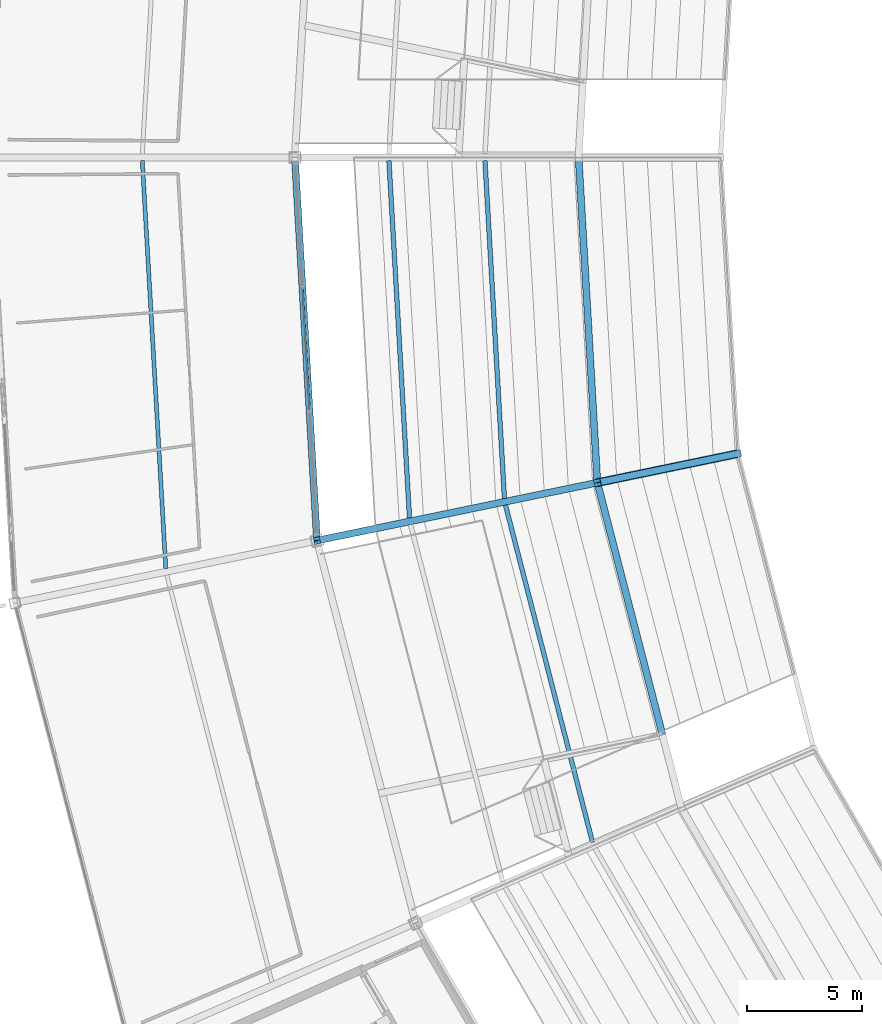
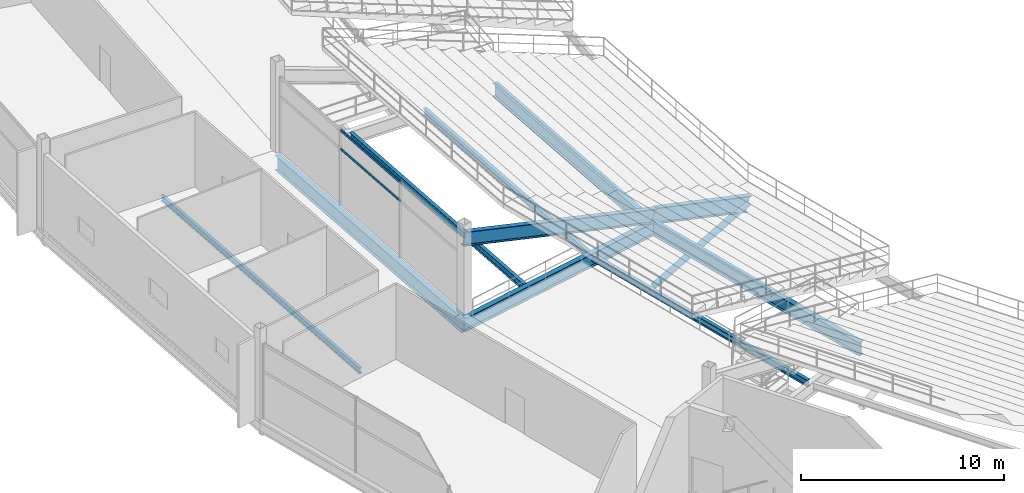
# One storey, part 45 of 186: 10 beams, 3 members, 1 element without a shape of its own.
"""IFC4 building model written with IfcOpenShell, lengths in metres."""

from ifc_helpers import new_model, si_unit, direction, frame, origin, origin_2d, place, context, subcontext, project, spatial, hollow_rectangle, hollow_circle, i_section, extrude, material, layer, layer_set, material_profile, profile_set, type_object, element, aggregate, save


model = new_model("IFC4")

# Units and contexts
model_context = context("Model", 3, precision=1e-05, world=origin(), true_north=direction((0.0, 1.0)))
body_context = subcontext(model_context, "Body", "Model", "MODEL_VIEW")
ifc_project = project(units=[si_unit("LENGTHUNIT", "METRE"), si_unit("AREAUNIT", "SQUARE_METRE"), si_unit("VOLUMEUNIT", "CUBIC_METRE"), si_unit("PLANEANGLEUNIT", "RADIAN"), si_unit("MASSUNIT", "GRAM", prefix="KILO")], contexts=[model_context])

# Site, building, storey
site_placement = place(None, origin())
site = spatial("IfcSite", under=ifc_project, at=site_placement, CompositionType="ELEMENT")
building_placement = place(site_placement, origin())
building = spatial("IfcBuilding", under=site, at=building_placement, Name="Kazemori Nagisa Stadium", CompositionType="ELEMENT")
storey_placement = place(building_placement, frame((0.0, 0.0, 20.39990234375)))
storey = spatial("IfcBuildingStorey", under=building, at=storey_placement, Name="L04", CompositionType="ELEMENT", Elevation=20.39990234375)

# Beams
ifc_material_1 = material(Name="Steel SN490B", Category="steel")
ifc_material_profile_1 = material_profile(ifc_material_1, i_section(OverallWidth=0.300048828125, OverallDepth=0.800048828125, WebThickness=0.013916015625, FlangeThickness=0.02587890625, FilletRadius=0.01806640625, at=origin_2d()), Name="H-800x300x14x26")
ifc_profile_set_1 = profile_set([ifc_material_profile_1], Name="Steel SN490B")
beam_type_1 = type_object("IfcBeamType", Name="Beam_BG-H800", PredefinedType="BEAM", material=ifc_profile_set_1)
beam_1_placement = place(storey_placement, frame((53.64990234375, 102.0, -0.699951171875), z_axis=(0.057610061423, -0.998339161219, 0.0), x_axis=(0.998339161219, 0.057610061423, 0.0)))
element("IfcBeam", 1, at=beam_1_placement, inside=storey, type_object=beam_type_1, Name="Ring girder BG-H800 L04 R1-15", PredefinedType="BEAM", context=body_context, shape_type="SweptSolid", body=[
    extrude(i_section(OverallWidth=0.300048828125, OverallDepth=0.800048828125, WebThickness=0.013916015625, FlangeThickness=0.02587890625, FilletRadius=0.01806640625, at=origin_2d()), origin(), (0.0, 0.0, 1.0), 14.183837890625),
])
beam_2_placement = place(storey_placement, frame((54.467041015625, 87.839599609375, -0.699951171875), z_axis=(0.249966077383, -0.9682545947, 0.0), x_axis=(0.9682545947, 0.249966077383, 0.0)))
element("IfcBeam", 2, at=beam_2_placement, inside=storey, type_object=beam_type_1, Name="Ring girder BG-H800 L04 R1-16", PredefinedType="BEAM", context=body_context, shape_type="SweptSolid", body=[
    extrude(i_section(OverallWidth=0.300048828125, OverallDepth=0.800048828125, WebThickness=0.013916015625, FlangeThickness=0.02587890625, FilletRadius=0.01806640625, at=origin_2d()), origin(), (0.0, 0.0, 1.0), 14.58984375),
])
beam_3_placement = place(storey_placement, frame((54.467041015625, 87.839599609375, -0.699951171875), z_axis=(-0.979313861938, -0.202347127025, 0.0), x_axis=(0.202347127025, -0.979313861938, 0.0)))
element("IfcBeam", 3, at=beam_3_placement, inside=storey, type_object=beam_type_1, Name="Radial girder BG-H800 L04 R1-R2-16", PredefinedType="BEAM", context=body_context, shape_type="SweptSolid", body=[
    extrude(i_section(OverallWidth=0.300048828125, OverallDepth=0.800048828125, WebThickness=0.013916015625, FlangeThickness=0.02587890625, FilletRadius=0.01806640625, at=origin_2d()), origin(), (0.0, 0.0, 1.0), 12.46240234375),
])
ifc_material_profile_2 = material_profile(ifc_material_1, i_section(OverallWidth=0.300048828125, OverallDepth=0.89990234375, WebThickness=0.01611328125, FlangeThickness=0.028076171875, FilletRadius=0.01806640625, at=origin_2d()), Name="H-900x300x16x28")
ifc_profile_set_2 = profile_set([ifc_material_profile_2], Name="Steel SN490B")
beam_type_2 = type_object("IfcBeamType", Name="Beam_BG-H900", PredefinedType="BEAM", material=ifc_profile_set_2)
beam_4_placement = place(storey_placement, frame((41.300048828125, 102.0, -0.75), z_axis=(0.057594854854, -0.998340038611, 0.0), x_axis=(0.998340038611, 0.057594854854, 0.0)))
element("IfcBeam", 4, at=beam_4_placement, inside=storey, type_object=beam_type_2, Name="Ring girder BG-H900 L04 R2-15", PredefinedType="BEAM", context=body_context, shape_type="SweptSolid", body=[
    extrude(i_section(OverallWidth=0.300048828125, OverallDepth=0.89990234375, WebThickness=0.01611328125, FlangeThickness=0.028076171875, FilletRadius=0.01806640625, at=origin_2d()), origin(), (0.0, 0.0, 1.0), 16.7099609375),
])
ifc_material_profile_3 = material_profile(ifc_material_1, i_section(OverallWidth=0.175048828125, OverallDepth=0.35009765625, WebThickness=0.007080078125, FlangeThickness=0.010986328125, FilletRadius=0.012939453125, at=origin_2d()), Name="H-350x175x7x11")
ifc_profile_set_3 = profile_set([ifc_material_profile_3], Name="Steel SN490B")
beam_type_3 = type_object("IfcBeamType", Name="Beam_BJ-H350", PredefinedType="JOIST", material=ifc_profile_set_3)
beam_5_placement = place(storey_placement, frame((34.658447265625, 101.855224609375, -0.474853515625), z_axis=(0.057603114818, -0.998339562055, 0.0), x_axis=(0.998339562055, 0.057603114818, 0.0)))
element("IfcBeam", 5, at=beam_5_placement, inside=storey, type_object=beam_type_3, Name="Outer bay joist BJ-H350 L04 B15", PredefinedType="JOIST", context=body_context, shape_type="SweptSolid", body=[
    extrude(i_section(OverallWidth=0.175048828125, OverallDepth=0.35009765625, WebThickness=0.007080078125, FlangeThickness=0.010986328125, FilletRadius=0.012939453125, at=origin_2d()), origin(), (0.0, 0.0, 1.0), 17.77978515625),
])
ifc_material_profile_4 = material_profile(ifc_material_1, i_section(OverallWidth=0.199951171875, OverallDepth=0.39990234375, WebThickness=0.008056640625, FlangeThickness=0.012939453125, FilletRadius=0.012939453125, at=origin_2d()), Name="H-400x200x8x13")
ifc_profile_set_4 = profile_set([ifc_material_profile_4], Name="Steel SN490B")
beam_type_4 = type_object("IfcBeamType", Name="Beam_BJ-H400", PredefinedType="JOIST", material=ifc_profile_set_4)
beam_6_placement = place(storey_placement, frame((49.5732421875, 101.855224609375, -0.5), z_axis=(0.057615279138, -0.998338860112, 0.0), x_axis=(0.998338860112, 0.057615279138, 0.0)))
element("IfcBeam", 6, at=beam_6_placement, inside=storey, type_object=beam_type_4, Name="Concourse joist BJ-H400 L04 B15-1", PredefinedType="JOIST", context=body_context, shape_type="SweptSolid", body=[
    extrude(i_section(OverallWidth=0.199951171875, OverallDepth=0.39990234375, WebThickness=0.008056640625, FlangeThickness=0.012939453125, FilletRadius=0.012939453125, at=origin_2d()), origin(), (0.0, 0.0, 1.0), 14.729248046875),
])
beam_7_placement = place(storey_placement, frame((45.393310546875, 101.855224609375, -0.5), z_axis=(0.057603441248, -0.99833954322, 0.0), x_axis=(0.99833954322, 0.057603441248, 0.0)))
element("IfcBeam", 7, at=beam_7_placement, inside=storey, type_object=beam_type_4, Name="Concourse joist BJ-H400 L04 B15-2", PredefinedType="JOIST", context=body_context, shape_type="SweptSolid", body=[
    extrude(i_section(OverallWidth=0.199951171875, OverallDepth=0.39990234375, WebThickness=0.008056640625, FlangeThickness=0.012939453125, FilletRadius=0.012939453125, at=origin_2d()), origin(), (0.0, 0.0, 1.0), 15.584228515625),
])
beam_8_placement = place(storey_placement, frame((50.46630859375, 86.865234375, -0.5), z_axis=(0.249963255877, -0.9682553231, 0.0), x_axis=(0.9682553231, 0.249963255877, 0.0)))
element("IfcBeam", 8, at=beam_8_placement, inside=storey, type_object=beam_type_4, Name="Concourse joist BJ-H400 L04 B16-1", PredefinedType="JOIST", context=body_context, shape_type="SweptSolid", body=[
    extrude(i_section(OverallWidth=0.199951171875, OverallDepth=0.39990234375, WebThickness=0.008056640625, FlangeThickness=0.012939453125, FilletRadius=0.012939453125, at=origin_2d()), origin(), (0.0, 0.0, 1.0), 15.159423828125),
])
ifc_material_profile_5 = material_profile(ifc_material_1, i_section(OverallWidth=0.300048828125, OverallDepth=0.800048828125, WebThickness=0.013916015625, FlangeThickness=0.02587890625, FilletRadius=0.01806640625, at=origin_2d()), Name="H-800x300x14x26")
ifc_profile_set_5 = profile_set([ifc_material_profile_5], Name="Steel SN490B")
beam_type_5 = type_object("IfcBeamType", Name="Beam_RK-ST800", PredefinedType="USERDEFINED", material=ifc_profile_set_5)
beam_9_placement = place(storey_placement, frame((54.467041015625, 87.839599609375, 0.02001953125), z_axis=(-0.922744839071, -0.190658760607, 0.334949546905), x_axis=(0.202347127025, -0.979313861938, 0.0)))
element("IfcBeam", 9, at=beam_9_placement, inside=storey, type_object=beam_type_5, Name="Raker beam upper backspan RK3-16B", ObjectType="RAKER BEAM", PredefinedType="USERDEFINED", context=body_context, shape_type="SweptSolid", body=[
    extrude(i_section(OverallWidth=0.300048828125, OverallDepth=0.800048828125, WebThickness=0.013916015625, FlangeThickness=0.02587890625, FilletRadius=0.01806640625, at=origin_2d()), origin(), (0.0, 0.0, 1.0), 13.226318359375),
])
ifc_material_profile_6 = material_profile(ifc_material_1, i_section(OverallWidth=0.300048828125, OverallDepth=0.89990234375, WebThickness=0.01611328125, FlangeThickness=0.028076171875, FilletRadius=0.01806640625, at=origin_2d()), Name="H-900x300x16x28")
ifc_profile_set_6 = profile_set([ifc_material_profile_6], Name="Steel SN490B")
beam_type_6 = type_object("IfcBeamType", Name="Beam_RK-ST900", PredefinedType="USERDEFINED", material=ifc_profile_set_6)
beam_10_placement = place(storey_placement, frame((60.5693359375, 89.1005859375, -2.14990234375), z_axis=(-0.924838040784, -0.191109761178, 0.328864193098), x_axis=(0.202365915, -0.979309979754, 0.0)))
element("IfcBeam", 10, at=beam_10_placement, inside=storey, type_object=beam_type_6, Name="Raker beam upper cantilever RK3-16A", ObjectType="RAKER BEAM", PredefinedType="USERDEFINED", context=body_context, shape_type="SweptSolid", body=[
    extrude(i_section(OverallWidth=0.300048828125, OverallDepth=0.89990234375, WebThickness=0.01611328125, FlangeThickness=0.028076171875, FilletRadius=0.01806640625, at=origin_2d()), origin(), (0.0, 0.0, 1.0), 6.59814453125),
])

# Member
ifc_material_2 = material(Name="Steel STK490", Category="steel")
ifc_material_profile_7 = material_profile(ifc_material_2, hollow_circle(Radius=0.177734375, WallThickness=0.0126953125, at=origin_2d()), Name="CHS-355.6x12.7")
ifc_profile_set_7 = profile_set([ifc_material_profile_7], Name="Steel STK490")
member_type_1 = type_object("IfcMemberType", Name="Member_TB-CHS355", PredefinedType="BRACE", material=ifc_profile_set_7)
member_1_placement = place(storey_placement, frame((54.467041015625, 87.839599609375, -4.25), z_axis=(0.928021170057, 0.191767527239, 0.319377399673), x_axis=(-0.202365915, 0.979309979754, 0.0)))
element("IfcMember", 11, at=member_1_placement, inside=storey, type_object=member_type_1, Name="Upper tier cantilever truss strut UT-16", PredefinedType="BRACE", context=body_context, shape_type="SweptSolid", body=[
    extrude(hollow_circle(Radius=0.177734375, WallThickness=0.0126953125, at=origin_2d()), origin(), (0.0, 0.0, 1.0), 6.57568359375),
])

# Curtain wall, members
ifc_material_3 = material(Name="Anodised aluminium 6063-T5", Category="aluminium")
ifc_layer = layer(ifc_material_3, 0.179931640625, Name="Anodised aluminium 6063-T5", Category="aluminium")
ifc_layer_set = layer_set([ifc_layer], Name="Anodised aluminium 6063-T5")
curtain_wall_type = type_object("IfcCurtainWallType", Name="CW_L04B_81", PredefinedType="USERDEFINED", material=ifc_layer_set)
curtain_wall_placement = place(storey_placement, origin())
curtain_wall = element("IfcCurtainWall", 12, at=curtain_wall_placement, inside=storey, type_object=curtain_wall_type, Name="Unitised curtain wall CW-L04B-81 L04", ObjectType="UNITISED CURTAIN WALL", PredefinedType="USERDEFINED")
ifc_material_4 = material(Name="Aluminium 6063-T5 anodised", Category="aluminium")
ifc_material_profile_8 = material_profile(ifc_material_4, hollow_rectangle(XDim=0.070068359375, YDim=0.139892578125, WallThickness=0.00390625, at=origin_2d()), Name="ALU-TRAN-70x140x4")
ifc_profile_set_8 = profile_set([ifc_material_profile_8], Name="Aluminium 6063-T5 anodised")
member_type_2 = type_object("IfcMemberType", Name="Transom_T01", PredefinedType="USERDEFINED", material=ifc_profile_set_8)
member_2_placement = place(storey_placement, frame((41.627685546875, 96.3212890625, 3.352294921875), z_axis=(0.057586883719, -0.998340498439, 0.0), x_axis=(0.998340498439, 0.057586883719, 0.0)))
member_2 = element("IfcMember", 13, at=member_2_placement, type_object=member_type_2, Name="Curtain wall transom CW-L04B-81-T2-mid", ObjectType="TRANSOM", PredefinedType="USERDEFINED", context=body_context, shape_type="SweptSolid", body=[
    extrude(hollow_rectangle(XDim=0.070068359375, YDim=0.139892578125, WallThickness=0.00390625, at=origin_2d()), origin(), (0.0, 0.0, 1.0), 5.333251953125),
])
member_3_placement = place(storey_placement, frame((41.627685546875, 96.3212890625, 4.460205078125), z_axis=(0.057586883719, -0.998340498439, 0.0), x_axis=(0.998340498439, 0.057586883719, 0.0)))
member_3 = element("IfcMember", 14, at=member_3_placement, type_object=member_type_2, Name="Curtain wall transom CW-L04B-81-T2-head", ObjectType="TRANSOM", PredefinedType="USERDEFINED", context=body_context, shape_type="SweptSolid", body=[
    extrude(hollow_rectangle(XDim=0.070068359375, YDim=0.139892578125, WallThickness=0.00390625, at=origin_2d()), origin(), (0.0, 0.0, 1.0), 5.333251953125),
])
aggregate(curtain_wall, [member_2, member_3])

save(model, "model.ifc")
